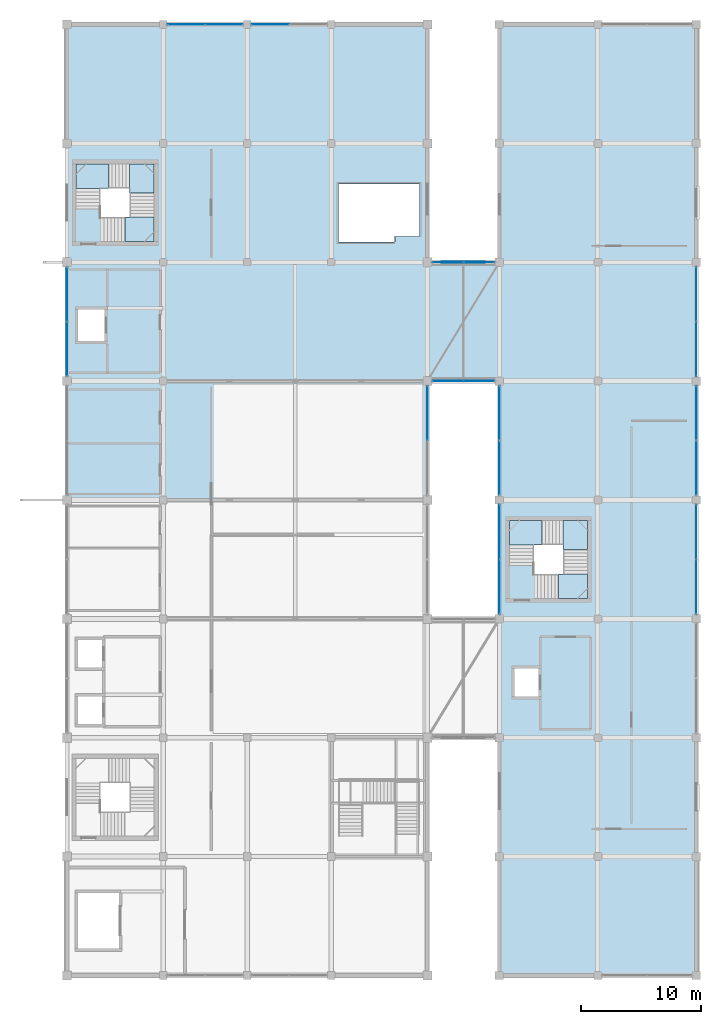
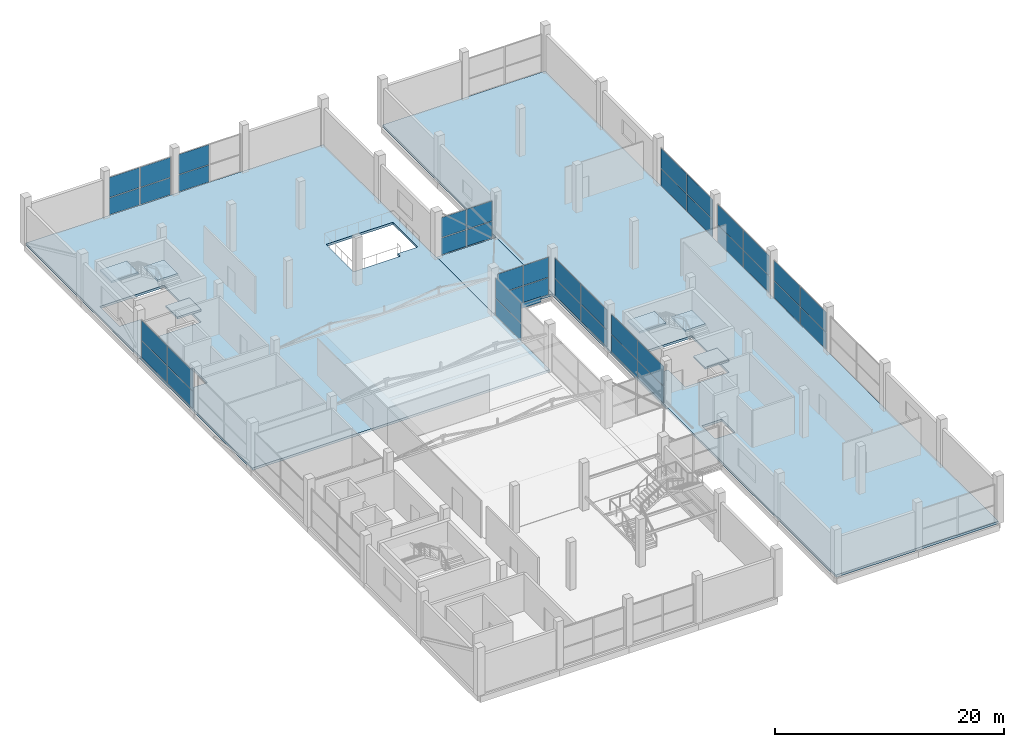
# One storey, part 50 of 67: 42 plates, 9 slabs, 13 elements without a shape of their own.
"""IFC4 building model written with IfcOpenShell, lengths in metres."""

from ifc_helpers import new_model, si_unit, direction, frame, origin, origin_2d, place, context, subcontext, project, spatial, polyline, rectangle, outline, extrude, material, layer, layer_set, type_object, element, aggregate, save


model = new_model("IFC4")

# Units and contexts
model_context = context("Model", 3, precision=1e-05, world=origin(), true_north=direction((0.0, 1.0)))
body_context = subcontext(model_context, "Body", "Model", "MODEL_VIEW")
ifc_project = project(units=[si_unit("LENGTHUNIT", "METRE"), si_unit("AREAUNIT", "SQUARE_METRE"), si_unit("VOLUMEUNIT", "CUBIC_METRE"), si_unit("PLANEANGLEUNIT", "RADIAN"), si_unit("MASSUNIT", "GRAM", prefix="KILO")], contexts=[model_context])

# Site, building, storey
site_placement = place(None, origin())
site = spatial("IfcSite", under=ifc_project, at=site_placement, CompositionType="ELEMENT")
building_placement = place(site_placement, origin())
building = spatial("IfcBuilding", under=site, at=building_placement, Name="Sillaruma Civic Art Gallery", CompositionType="ELEMENT")
storey_placement = place(building_placement, frame((0.0, 0.0, 46.919921875)))
storey = spatial("IfcBuildingStorey", under=building, at=storey_placement, Name="L09", CompositionType="ELEMENT", Elevation=46.919921875)

# Plates
ifc_material_1 = material(Name="Anodised Zinc-Aluminium Alloy", Category="aluminium")
ifc_layer_1 = layer(ifc_material_1, 0.044921875, Name="Anodised Zinc-Aluminium Alloy")
ifc_layer_set_1 = layer_set([ifc_layer_1], Name="Anodised Zinc-Aluminium Alloy")
plate_type_1 = type_object("IfcPlateType", Name="PLT-FAS-01", PredefinedType="USERDEFINED", material=ifc_layer_set_1)
for number, where, z_axis, x_axis, name in (
    (1, (95.0, 69.300048828125, -0.469970703125), (0.0, 0.0, 1.0), (1.0, 0.0, 0.0), "Sky-Bridge Fascia Cassette (BRG-N:L09:S)"),
    (2, (95.0, 79.199951171875, -0.469970703125), (0.0, 0.0, 1.0), (1.0, 0.0, 0.0), "Sky-Bridge Fascia Cassette (BRG-N:L09:N)"),
):
    element("IfcPlate", number, at=place(storey_placement, frame(where, z_axis=z_axis, x_axis=x_axis)), inside=storey, type_object=plate_type_1, Name=name, ObjectType="FASCIA CASSETTE", PredefinedType="USERDEFINED", context=body_context, shape_type="SweptSolid", body=[
        extrude(rectangle(XDim=3.60009765625, YDim=0.044921875, at=origin_2d()), origin(), (0.0, 0.0, 1.0), 0.580078125),
    ])

# Curtain wall, plates
ifc_material_2 = material(Name="Thermally Broken Extruded Aluminium 6063-T6", Category="aluminium")
ifc_layer_2 = layer(ifc_material_2, 0.139892578125, Name="Thermally Broken Extruded Aluminium 6063-T6")
ifc_layer_set_2 = layer_set([ifc_layer_2], Name="Thermally Broken Extruded Aluminium 6063-T6")
curtain_wall_type_1 = type_object("IfcCurtainWallType", Name="CW-UNI-71", PredefinedType="NOTDEFINED", material=ifc_layer_set_2)
curtain_wall_1_placement = place(storey_placement, origin())
curtain_wall_1 = element("IfcCurtainWall", 3, at=curtain_wall_1_placement, inside=storey, type_object=curtain_wall_type_1, Name="Unitised Curtain Wall CW-71 (CW-L09-EBE-4)", PredefinedType="NOTDEFINED")
ifc_material_3 = material(Name="Low-E UV-Filtered Laminated Insulating Glass", Category="glass")
ifc_layer_3 = layer(ifc_material_3, 0.028076171875, Name="Low-E UV-Filtered Laminated Insulating Glass")
ifc_layer_set_3 = layer_set([ifc_layer_3], Name="Low-E UV-Filtered Laminated Insulating Glass")
plate_type_2 = type_object("IfcPlateType", Name="PNL-GLZ-28", PredefinedType="CURTAIN_PANEL", material=ifc_layer_set_3)
plate_1_placement = place(storey_placement, frame((114.39990234375, 52.1650390625, 0.06005859375), z_axis=(0.0, 0.0, 1.0), x_axis=(0.0, 1.0, 0.0)))
plate_1 = element("IfcPlate", 4, at=plate_1_placement, type_object=plate_type_2, Name="CW-71 panel 1.1", PredefinedType="CURTAIN_PANEL", context=body_context, shape_type="SweptSolid", body=[
    extrude(rectangle(XDim=4.510009765625, YDim=0.028076171875, at=origin_2d()), origin(), (0.0, 0.0, 1.0), 1.7958984375),
])
plate_2_placement = place(storey_placement, frame((114.39990234375, 52.1650390625, 1.916015625), z_axis=(0.0, 0.0, 1.0), x_axis=(0.0, 1.0, 0.0)))
plate_2 = element("IfcPlate", 5, at=plate_2_placement, type_object=plate_type_2, Name="CW-71 panel 1.2", PredefinedType="CURTAIN_PANEL", context=body_context, shape_type="SweptSolid", body=[
    extrude(rectangle(XDim=4.510009765625, YDim=0.028076171875, at=origin_2d()), origin(), (0.0, 0.0, 1.0), 2.1240234375),
])
plate_3_placement = place(storey_placement, frame((114.39990234375, 56.735107421875, 0.06005859375), z_axis=(0.0, 0.0, 1.0), x_axis=(0.0, 1.0, 0.0)))
plate_3 = element("IfcPlate", 6, at=plate_3_placement, type_object=plate_type_2, Name="CW-71 panel 2.1", PredefinedType="CURTAIN_PANEL", context=body_context, shape_type="SweptSolid", body=[
    extrude(rectangle(XDim=4.510009765625, YDim=0.028076171875, at=origin_2d()), origin(), (0.0, 0.0, 1.0), 1.7958984375),
])
plate_4_placement = place(storey_placement, frame((114.39990234375, 56.735107421875, 1.916015625), z_axis=(0.0, 0.0, 1.0), x_axis=(0.0, 1.0, 0.0)))
plate_4 = element("IfcPlate", 7, at=plate_4_placement, type_object=plate_type_2, Name="CW-71 panel 2.2", PredefinedType="CURTAIN_PANEL", context=body_context, shape_type="SweptSolid", body=[
    extrude(rectangle(XDim=4.510009765625, YDim=0.028076171875, at=origin_2d()), origin(), (0.0, 0.0, 1.0), 2.1240234375),
])
aggregate(curtain_wall_1, [plate_1, plate_2, plate_3, plate_4])

ifc_layer_4 = layer(ifc_material_2, 0.159912109375, Name="Thermally Broken Extruded Aluminium 6063-T6")
ifc_layer_set_4 = layer_set([ifc_layer_4], Name="Thermally Broken Extruded Aluminium 6063-T6")
curtain_wall_type_2 = type_object("IfcCurtainWallType", Name="CW-UNI-68", PredefinedType="NOTDEFINED", material=ifc_layer_set_4)
curtain_wall_2_placement = place(storey_placement, origin())
curtain_wall_2 = element("IfcCurtainWall", 8, at=curtain_wall_2_placement, inside=storey, type_object=curtain_wall_type_2, Name="Unitised Curtain Wall CW-68 (CW-L09-WBN-3)", PredefinedType="NOTDEFINED")
ifc_layer_5 = layer(ifc_material_3, 0.030029296875, Name="Low-E UV-Filtered Laminated Insulating Glass")
ifc_layer_set_5 = layer_set([ifc_layer_5], Name="Low-E UV-Filtered Laminated Insulating Glass")
plate_type_3 = type_object("IfcPlateType", Name="PNL-GLZ-30", PredefinedType="CURTAIN_PANEL", material=ifc_layer_set_5)
plate_5_placement = place(storey_placement, frame((78.9287109375, 99.0, 0.06005859375), z_axis=(0.0, 0.0, 1.0), x_axis=(1.0, 0.0, 0.0)))
plate_5 = element("IfcPlate", 9, at=plate_5_placement, type_object=plate_type_3, Name="CW-68 panel 1.1", PredefinedType="CURTAIN_PANEL", context=body_context, shape_type="SweptSolid", body=[
    extrude(rectangle(XDim=3.077392578125, YDim=0.030029296875, at=origin_2d()), origin(), (0.0, 0.0, 1.0), 1.7958984375),
])
plate_6_placement = place(storey_placement, frame((78.9287109375, 99.0, 1.916015625), z_axis=(0.0, 0.0, 1.0), x_axis=(1.0, 0.0, 0.0)))
plate_6 = element("IfcPlate", 10, at=plate_6_placement, type_object=plate_type_3, Name="CW-68 panel 1.2", PredefinedType="CURTAIN_PANEL", context=body_context, shape_type="SweptSolid", body=[
    extrude(rectangle(XDim=3.077392578125, YDim=0.030029296875, at=origin_2d()), origin(), (0.0, 0.0, 1.0), 2.1240234375),
])
aggregate(curtain_wall_2, [plate_5, plate_6])

ifc_layer_6 = layer(ifc_material_2, 0.159912109375, Name="Thermally Broken Extruded Aluminium 6063-T6")
ifc_layer_set_6 = layer_set([ifc_layer_6], Name="Thermally Broken Extruded Aluminium 6063-T6")
curtain_wall_type_3 = type_object("IfcCurtainWallType", Name="CW-UNI-73", PredefinedType="NOTDEFINED", material=ifc_layer_set_6)
curtain_wall_3_placement = place(storey_placement, origin())
curtain_wall_3 = element("IfcCurtainWall", 11, at=curtain_wall_3_placement, inside=storey, type_object=curtain_wall_type_3, Name="Unitised Curtain Wall CW-73 (CW-L09-EBE-6)", PredefinedType="NOTDEFINED")
plate_7_placement = place(storey_placement, frame((114.39990234375, 71.96630859375, 0.06005859375), z_axis=(0.0, 0.0, 1.0), x_axis=(0.0, 1.0, 0.0)))
plate_7 = element("IfcPlate", 12, at=plate_7_placement, type_object=plate_type_3, Name="CW-73 panel 1.1", PredefinedType="CURTAIN_PANEL", context=body_context, shape_type="SweptSolid", body=[
    extrude(rectangle(XDim=4.50244140625, YDim=0.030029296875, at=origin_2d()), origin(), (0.0, 0.0, 1.0), 1.7958984375),
])
plate_8_placement = place(storey_placement, frame((114.39990234375, 71.96630859375, 1.916015625), z_axis=(0.0, 0.0, 1.0), x_axis=(0.0, 1.0, 0.0)))
plate_8 = element("IfcPlate", 13, at=plate_8_placement, type_object=plate_type_3, Name="CW-73 panel 1.2", PredefinedType="CURTAIN_PANEL", context=body_context, shape_type="SweptSolid", body=[
    extrude(rectangle(XDim=4.50244140625, YDim=0.030029296875, at=origin_2d()), origin(), (0.0, 0.0, 1.0), 2.1240234375),
])
plate_9_placement = place(storey_placement, frame((114.39990234375, 76.53369140625, 0.06005859375), z_axis=(0.0, 0.0, 1.0), x_axis=(0.0, 1.0, 0.0)))
plate_9 = element("IfcPlate", 14, at=plate_9_placement, type_object=plate_type_3, Name="CW-73 panel 2.1", PredefinedType="CURTAIN_PANEL", context=body_context, shape_type="SweptSolid", body=[
    extrude(rectangle(XDim=4.50244140625, YDim=0.030029296875, at=origin_2d()), origin(), (0.0, 0.0, 1.0), 1.7958984375),
])
plate_10_placement = place(storey_placement, frame((114.39990234375, 76.53369140625, 1.916015625), z_axis=(0.0, 0.0, 1.0), x_axis=(0.0, 1.0, 0.0)))
plate_10 = element("IfcPlate", 15, at=plate_10_placement, type_object=plate_type_3, Name="CW-73 panel 2.2", PredefinedType="CURTAIN_PANEL", context=body_context, shape_type="SweptSolid", body=[
    extrude(rectangle(XDim=4.50244140625, YDim=0.030029296875, at=origin_2d()), origin(), (0.0, 0.0, 1.0), 2.1240234375),
])
aggregate(curtain_wall_3, [plate_7, plate_8, plate_9, plate_10])

ifc_layer_7 = layer(ifc_material_2, 0.159912109375, Name="Thermally Broken Extruded Aluminium 6063-T6")
ifc_layer_set_7 = layer_set([ifc_layer_7], Name="Thermally Broken Extruded Aluminium 6063-T6")
curtain_wall_type_4 = type_object("IfcCurtainWallType", Name="CW-UNI-65", PredefinedType="NOTDEFINED", material=ifc_layer_set_7)
curtain_wall_4_placement = place(storey_placement, origin())
curtain_wall_4 = element("IfcCurtainWall", 16, at=curtain_wall_4_placement, inside=storey, type_object=curtain_wall_type_4, Name="Unitised Curtain Wall CW-65 (CW-L09-WBE-5)", PredefinedType="NOTDEFINED")
ifc_layer_8 = layer(ifc_material_3, 0.031982421875, Name="Low-E UV-Filtered Laminated Insulating Glass")
ifc_layer_set_8 = layer_set([ifc_layer_8], Name="Low-E UV-Filtered Laminated Insulating Glass")
plate_type_4 = type_object("IfcPlateType", Name="PNL-GLZ-32", PredefinedType="CURTAIN_PANEL", material=ifc_layer_set_8)
plate_11_placement = place(storey_placement, frame((92.0, 66.621337890625, 0.06494140625), z_axis=(0.0, 0.0, 1.0), x_axis=(0.0, 1.0, 0.0)))
plate_11 = element("IfcPlate", 17, at=plate_11_placement, type_object=plate_type_4, Name="CW-65 panel 2.1", PredefinedType="CURTAIN_PANEL", context=body_context, shape_type="SweptSolid", body=[
    extrude(rectangle(XDim=4.4775390625, YDim=0.031982421875, at=origin_2d()), origin(), (0.0, 0.0, 1.0), 1.78857421875),
])
plate_12_placement = place(storey_placement, frame((92.0, 66.621337890625, 1.91845703125), z_axis=(0.0, 0.0, 1.0), x_axis=(0.0, 1.0, 0.0)))
plate_12 = element("IfcPlate", 18, at=plate_12_placement, type_object=plate_type_4, Name="CW-65 panel 2.2", PredefinedType="CURTAIN_PANEL", context=body_context, shape_type="SweptSolid", body=[
    extrude(rectangle(XDim=4.4775390625, YDim=0.031982421875, at=origin_2d()), origin(), (0.0, 0.0, 1.0), 2.116455078125),
])
aggregate(curtain_wall_4, [plate_11, plate_12])

# Curtain wall, plate
ifc_layer_9 = layer(ifc_material_2, 0.159912109375, Name="Thermally Broken Extruded Aluminium 6063-T6")
ifc_layer_set_9 = layer_set([ifc_layer_9], Name="Thermally Broken Extruded Aluminium 6063-T6")
curtain_wall_type_5 = type_object("IfcCurtainWallType", Name="CW-UNI-75", PredefinedType="NOTDEFINED", material=ifc_layer_set_9)
curtain_wall_5_placement = place(storey_placement, origin())
curtain_wall_5 = element("IfcCurtainWall", 19, at=curtain_wall_5_placement, inside=storey, type_object=curtain_wall_type_5, Name="Unitised Curtain Wall CW-75 (CW-BRG-N-L09-S)", PredefinedType="NOTDEFINED")
plate_13_placement = place(storey_placement, frame((93.7099609375, 69.300048828125, 0.06494140625), z_axis=(0.0, 0.0, 1.0), x_axis=(1.0, 0.0, 0.0)))
plate_13 = element("IfcPlate", 20, at=plate_13_placement, type_object=plate_type_4, Name="CW-75 panel 1.1", PredefinedType="CURTAIN_PANEL", context=body_context, shape_type="SweptSolid", body=[
    extrude(rectangle(XDim=2.5400390625, YDim=0.031982421875, at=origin_2d()), origin(), (0.0, 0.0, 1.0), 1.78857421875),
])

curtain_wall_6_placement = place(storey_placement, origin())
curtain_wall_6 = element("IfcCurtainWall", 21, at=curtain_wall_6_placement, inside=storey, type_object=curtain_wall_type_5, Name="Unitised Curtain Wall CW-75 (CW-BRG-N-L09-N)", PredefinedType="NOTDEFINED")
plate_14_placement = place(storey_placement, frame((93.7099609375, 79.199951171875, 0.06494140625), z_axis=(0.0, 0.0, 1.0), x_axis=(1.0, 0.0, 0.0)))
plate_14 = element("IfcPlate", 22, at=plate_14_placement, type_object=plate_type_4, Name="CW-75 panel 1.1", PredefinedType="CURTAIN_PANEL", context=body_context, shape_type="SweptSolid", body=[
    extrude(rectangle(XDim=2.5400390625, YDim=0.031982421875, at=origin_2d()), origin(), (0.0, 0.0, 1.0), 1.78857421875),
])

# Curtain wall, plates
ifc_layer_10 = layer(ifc_material_2, 0.139892578125, Name="Thermally Broken Extruded Aluminium 6063-T6")
ifc_layer_set_10 = layer_set([ifc_layer_10], Name="Thermally Broken Extruded Aluminium 6063-T6")
curtain_wall_type_6 = type_object("IfcCurtainWallType", Name="CW-UNI-70", PredefinedType="NOTDEFINED", material=ifc_layer_set_10)
curtain_wall_7_placement = place(storey_placement, origin())
curtain_wall_7 = element("IfcCurtainWall", 23, at=curtain_wall_7_placement, inside=storey, type_object=curtain_wall_type_6, Name="Unitised Curtain Wall CW-70 (CW-L09-EBW-4)", PredefinedType="NOTDEFINED")
ifc_layer_11 = layer(ifc_material_3, 0.033935546875, Name="Low-E UV-Filtered Laminated Insulating Glass")
ifc_layer_set_11 = layer_set([ifc_layer_11], Name="Low-E UV-Filtered Laminated Insulating Glass")
plate_type_5 = type_object("IfcPlateType", Name="PNL-GLZ-34", PredefinedType="CURTAIN_PANEL", material=ifc_layer_set_11)
plate_15_placement = place(storey_placement, frame((98.0, 52.1650390625, 0.06494140625), z_axis=(0.0, 0.0, 1.0), x_axis=(0.0, 1.0, 0.0)))
plate_15 = element("IfcPlate", 24, at=plate_15_placement, type_object=plate_type_5, Name="CW-70 panel 1.1", PredefinedType="CURTAIN_PANEL", context=body_context, shape_type="SweptSolid", body=[
    extrude(rectangle(XDim=4.510009765625, YDim=0.033935546875, at=origin_2d()), origin(), (0.0, 0.0, 1.0), 1.78857421875),
])
plate_16_placement = place(storey_placement, frame((98.0, 52.1650390625, 1.91845703125), z_axis=(0.0, 0.0, 1.0), x_axis=(0.0, 1.0, 0.0)))
plate_16 = element("IfcPlate", 25, at=plate_16_placement, type_object=plate_type_5, Name="CW-70 panel 1.2", PredefinedType="CURTAIN_PANEL", context=body_context, shape_type="SweptSolid", body=[
    extrude(rectangle(XDim=4.510009765625, YDim=0.033935546875, at=origin_2d()), origin(), (0.0, 0.0, 1.0), 2.116455078125),
])
plate_17_placement = place(storey_placement, frame((98.0, 56.735107421875, 0.06494140625), z_axis=(0.0, 0.0, 1.0), x_axis=(0.0, 1.0, 0.0)))
plate_17 = element("IfcPlate", 26, at=plate_17_placement, type_object=plate_type_5, Name="CW-70 panel 2.1", PredefinedType="CURTAIN_PANEL", context=body_context, shape_type="SweptSolid", body=[
    extrude(rectangle(XDim=4.510009765625, YDim=0.033935546875, at=origin_2d()), origin(), (0.0, 0.0, 1.0), 1.78857421875),
])
plate_18_placement = place(storey_placement, frame((98.0, 56.735107421875, 1.91845703125), z_axis=(0.0, 0.0, 1.0), x_axis=(0.0, 1.0, 0.0)))
plate_18 = element("IfcPlate", 27, at=plate_18_placement, type_object=plate_type_5, Name="CW-70 panel 2.2", PredefinedType="CURTAIN_PANEL", context=body_context, shape_type="SweptSolid", body=[
    extrude(rectangle(XDim=4.510009765625, YDim=0.033935546875, at=origin_2d()), origin(), (0.0, 0.0, 1.0), 2.116455078125),
])
aggregate(curtain_wall_7, [plate_15, plate_16, plate_17, plate_18])

ifc_layer_12 = layer(ifc_material_2, 0.179931640625, Name="Thermally Broken Extruded Aluminium 6063-T6")
ifc_layer_set_12 = layer_set([ifc_layer_12], Name="Thermally Broken Extruded Aluminium 6063-T6")
curtain_wall_type_7 = type_object("IfcCurtainWallType", Name="CW-UNI-66", PredefinedType="NOTDEFINED", material=ifc_layer_set_12)
curtain_wall_8_placement = place(storey_placement, origin())
curtain_wall_8 = element("IfcCurtainWall", 28, at=curtain_wall_8_placement, inside=storey, type_object=curtain_wall_type_7, Name="Unitised Curtain Wall CW-66 (CW-L09-WBW-6)", PredefinedType="NOTDEFINED")
ifc_layer_13 = layer(ifc_material_3, 0.035888671875, Name="Low-E UV-Filtered Laminated Insulating Glass")
ifc_layer_set_13 = layer_set([ifc_layer_13], Name="Low-E UV-Filtered Laminated Insulating Glass")
plate_type_6 = type_object("IfcPlateType", Name="PNL-GLZ-36", PredefinedType="CURTAIN_PANEL", material=ifc_layer_set_13)
plate_19_placement = place(storey_placement, frame((62.0, 71.97998046875, 0.0703125), z_axis=(0.0, 0.0, 1.0), x_axis=(0.0, 1.0, 0.0)))
plate_19 = element("IfcPlate", 29, at=plate_19_placement, type_object=plate_type_6, Name="CW-66 panel 1.1", PredefinedType="CURTAIN_PANEL", context=body_context, shape_type="SweptSolid", body=[
    extrude(rectangle(XDim=4.469970703125, YDim=0.035888671875, at=origin_2d()), origin(), (0.0, 0.0, 1.0), 1.781005859375),
])
plate_20_placement = place(storey_placement, frame((62.0, 71.97998046875, 1.921142578125), z_axis=(0.0, 0.0, 1.0), x_axis=(0.0, 1.0, 0.0)))
plate_20 = element("IfcPlate", 30, at=plate_20_placement, type_object=plate_type_6, Name="CW-66 panel 1.2", PredefinedType="CURTAIN_PANEL", context=body_context, shape_type="SweptSolid", body=[
    extrude(rectangle(XDim=4.469970703125, YDim=0.035888671875, at=origin_2d()), origin(), (0.0, 0.0, 1.0), 2.10888671875),
])
plate_21_placement = place(storey_placement, frame((62.0, 76.52001953125, 0.0703125), z_axis=(0.0, 0.0, 1.0), x_axis=(0.0, 1.0, 0.0)))
plate_21 = element("IfcPlate", 31, at=plate_21_placement, type_object=plate_type_6, Name="CW-66 panel 2.1", PredefinedType="CURTAIN_PANEL", context=body_context, shape_type="SweptSolid", body=[
    extrude(rectangle(XDim=4.469970703125, YDim=0.035888671875, at=origin_2d()), origin(), (0.0, 0.0, 1.0), 1.781005859375),
])
plate_22_placement = place(storey_placement, frame((62.0, 76.52001953125, 1.921142578125), z_axis=(0.0, 0.0, 1.0), x_axis=(0.0, 1.0, 0.0)))
plate_22 = element("IfcPlate", 32, at=plate_22_placement, type_object=plate_type_6, Name="CW-66 panel 2.2", PredefinedType="CURTAIN_PANEL", context=body_context, shape_type="SweptSolid", body=[
    extrude(rectangle(XDim=4.469970703125, YDim=0.035888671875, at=origin_2d()), origin(), (0.0, 0.0, 1.0), 2.10888671875),
])
aggregate(curtain_wall_8, [plate_19, plate_20, plate_21, plate_22])

curtain_wall_9_placement = place(storey_placement, origin())
curtain_wall_9 = element("IfcCurtainWall", 33, at=curtain_wall_9_placement, inside=storey, type_object=curtain_wall_type_7, Name="Unitised Curtain Wall CW-66 (CW-L09-EBW-5)", PredefinedType="NOTDEFINED")
plate_23_placement = place(storey_placement, frame((98.0, 62.0673828125, 0.0703125), z_axis=(0.0, 0.0, 1.0), x_axis=(0.0, 1.0, 0.0)))
plate_23 = element("IfcPlate", 34, at=plate_23_placement, type_object=plate_type_6, Name="CW-66 panel 1.1", PredefinedType="CURTAIN_PANEL", context=body_context, shape_type="SweptSolid", body=[
    extrude(rectangle(XDim=4.4951171875, YDim=0.035888671875, at=origin_2d()), origin(), (0.0, 0.0, 1.0), 1.781005859375),
])
plate_24_placement = place(storey_placement, frame((98.0, 62.0673828125, 1.921142578125), z_axis=(0.0, 0.0, 1.0), x_axis=(0.0, 1.0, 0.0)))
plate_24 = element("IfcPlate", 35, at=plate_24_placement, type_object=plate_type_6, Name="CW-66 panel 1.2", PredefinedType="CURTAIN_PANEL", context=body_context, shape_type="SweptSolid", body=[
    extrude(rectangle(XDim=4.4951171875, YDim=0.035888671875, at=origin_2d()), origin(), (0.0, 0.0, 1.0), 2.10888671875),
])
plate_25_placement = place(storey_placement, frame((98.0, 66.632568359375, 0.0703125), z_axis=(0.0, 0.0, 1.0), x_axis=(0.0, 1.0, 0.0)))
plate_25 = element("IfcPlate", 36, at=plate_25_placement, type_object=plate_type_6, Name="CW-66 panel 2.1", PredefinedType="CURTAIN_PANEL", context=body_context, shape_type="SweptSolid", body=[
    extrude(rectangle(XDim=4.4951171875, YDim=0.035888671875, at=origin_2d()), origin(), (0.0, 0.0, 1.0), 1.781005859375),
])
plate_26_placement = place(storey_placement, frame((98.0, 66.632568359375, 1.921142578125), z_axis=(0.0, 0.0, 1.0), x_axis=(0.0, 1.0, 0.0)))
plate_26 = element("IfcPlate", 37, at=plate_26_placement, type_object=plate_type_6, Name="CW-66 panel 2.2", PredefinedType="CURTAIN_PANEL", context=body_context, shape_type="SweptSolid", body=[
    extrude(rectangle(XDim=4.4951171875, YDim=0.035888671875, at=origin_2d()), origin(), (0.0, 0.0, 1.0), 2.10888671875),
])
aggregate(curtain_wall_9, [plate_23, plate_24, plate_25, plate_26])

ifc_layer_14 = layer(ifc_material_2, 0.179931640625, Name="Thermally Broken Extruded Aluminium 6063-T6")
ifc_layer_set_14 = layer_set([ifc_layer_14], Name="Thermally Broken Extruded Aluminium 6063-T6")
curtain_wall_type_8 = type_object("IfcCurtainWallType", Name="CW-UNI-67", PredefinedType="NOTDEFINED", material=ifc_layer_set_14)
curtain_wall_10_placement = place(storey_placement, origin())
curtain_wall_10 = element("IfcCurtainWall", 38, at=curtain_wall_10_placement, inside=storey, type_object=curtain_wall_type_8, Name="Unitised Curtain Wall CW-67 (CW-L09-WBN-2)", PredefinedType="NOTDEFINED")
ifc_layer_15 = layer(ifc_material_3, 0.0400390625, Name="Low-E UV-Filtered Laminated Insulating Glass")
ifc_layer_set_15 = layer_set([ifc_layer_15], Name="Low-E UV-Filtered Laminated Insulating Glass")
plate_type_7 = type_object("IfcPlateType", Name="PNL-GLZ-40", PredefinedType="CURTAIN_PANEL", material=ifc_layer_set_15)
plate_27_placement = place(storey_placement, frame((71.929931640625, 99.0, 0.06494140625), z_axis=(0.0, 0.0, 1.0), x_axis=(1.0, 0.0, 0.0)))
plate_27 = element("IfcPlate", 39, at=plate_27_placement, type_object=plate_type_7, Name="CW-67 panel 1.1", PredefinedType="CURTAIN_PANEL", context=body_context, shape_type="SweptSolid", body=[
    extrude(rectangle(XDim=3.070068359375, YDim=0.0400390625, at=origin_2d()), origin(), (0.0, 0.0, 1.0), 1.78857421875),
])
plate_28_placement = place(storey_placement, frame((71.929931640625, 99.0, 1.91845703125), z_axis=(0.0, 0.0, 1.0), x_axis=(1.0, 0.0, 0.0)))
plate_28 = element("IfcPlate", 40, at=plate_28_placement, type_object=plate_type_7, Name="CW-67 panel 1.2", PredefinedType="CURTAIN_PANEL", context=body_context, shape_type="SweptSolid", body=[
    extrude(rectangle(XDim=3.070068359375, YDim=0.0400390625, at=origin_2d()), origin(), (0.0, 0.0, 1.0), 2.116455078125),
])
plate_29_placement = place(storey_placement, frame((75.070068359375, 99.0, 0.06494140625), z_axis=(0.0, 0.0, 1.0), x_axis=(1.0, 0.0, 0.0)))
plate_29 = element("IfcPlate", 41, at=plate_29_placement, type_object=plate_type_7, Name="CW-67 panel 2.1", PredefinedType="CURTAIN_PANEL", context=body_context, shape_type="SweptSolid", body=[
    extrude(rectangle(XDim=3.070068359375, YDim=0.0400390625, at=origin_2d()), origin(), (0.0, 0.0, 1.0), 1.78857421875),
])
plate_30_placement = place(storey_placement, frame((75.070068359375, 99.0, 1.91845703125), z_axis=(0.0, 0.0, 1.0), x_axis=(1.0, 0.0, 0.0)))
plate_30 = element("IfcPlate", 42, at=plate_30_placement, type_object=plate_type_7, Name="CW-67 panel 2.2", PredefinedType="CURTAIN_PANEL", context=body_context, shape_type="SweptSolid", body=[
    extrude(rectangle(XDim=3.070068359375, YDim=0.0400390625, at=origin_2d()), origin(), (0.0, 0.0, 1.0), 2.116455078125),
])
aggregate(curtain_wall_10, [plate_27, plate_28, plate_29, plate_30])

ifc_layer_16 = layer(ifc_material_2, 0.179931640625, Name="Thermally Broken Extruded Aluminium 6063-T6")
ifc_layer_set_16 = layer_set([ifc_layer_16], Name="Thermally Broken Extruded Aluminium 6063-T6")
curtain_wall_type_9 = type_object("IfcCurtainWallType", Name="CW-UNI-72", PredefinedType="NOTDEFINED", material=ifc_layer_set_16)
curtain_wall_11_placement = place(storey_placement, origin())
curtain_wall_11 = element("IfcCurtainWall", 43, at=curtain_wall_11_placement, inside=storey, type_object=curtain_wall_type_9, Name="Unitised Curtain Wall CW-72 (CW-L09-EBE-5)", PredefinedType="NOTDEFINED")
plate_31_placement = place(storey_placement, frame((114.39990234375, 62.0673828125, 0.06494140625), z_axis=(0.0, 0.0, 1.0), x_axis=(0.0, 1.0, 0.0)))
plate_31 = element("IfcPlate", 44, at=plate_31_placement, type_object=plate_type_7, Name="CW-72 panel 1.1", PredefinedType="CURTAIN_PANEL", context=body_context, shape_type="SweptSolid", body=[
    extrude(rectangle(XDim=4.4951171875, YDim=0.0400390625, at=origin_2d()), origin(), (0.0, 0.0, 1.0), 1.78857421875),
])
plate_32_placement = place(storey_placement, frame((114.39990234375, 62.0673828125, 1.91845703125), z_axis=(0.0, 0.0, 1.0), x_axis=(0.0, 1.0, 0.0)))
plate_32 = element("IfcPlate", 45, at=plate_32_placement, type_object=plate_type_7, Name="CW-72 panel 1.2", PredefinedType="CURTAIN_PANEL", context=body_context, shape_type="SweptSolid", body=[
    extrude(rectangle(XDim=4.4951171875, YDim=0.0400390625, at=origin_2d()), origin(), (0.0, 0.0, 1.0), 2.116455078125),
])
plate_33_placement = place(storey_placement, frame((114.39990234375, 66.632568359375, 0.06494140625), z_axis=(0.0, 0.0, 1.0), x_axis=(0.0, 1.0, 0.0)))
plate_33 = element("IfcPlate", 46, at=plate_33_placement, type_object=plate_type_7, Name="CW-72 panel 2.1", PredefinedType="CURTAIN_PANEL", context=body_context, shape_type="SweptSolid", body=[
    extrude(rectangle(XDim=4.4951171875, YDim=0.0400390625, at=origin_2d()), origin(), (0.0, 0.0, 1.0), 1.78857421875),
])
plate_34_placement = place(storey_placement, frame((114.39990234375, 66.632568359375, 1.91845703125), z_axis=(0.0, 0.0, 1.0), x_axis=(0.0, 1.0, 0.0)))
plate_34 = element("IfcPlate", 47, at=plate_34_placement, type_object=plate_type_7, Name="CW-72 panel 2.2", PredefinedType="CURTAIN_PANEL", context=body_context, shape_type="SweptSolid", body=[
    extrude(rectangle(XDim=4.4951171875, YDim=0.0400390625, at=origin_2d()), origin(), (0.0, 0.0, 1.0), 2.116455078125),
])
aggregate(curtain_wall_11, [plate_31, plate_32, plate_33, plate_34])

# Plate
ifc_layer_17 = layer(ifc_material_1, 0.031982421875, Name="Anodised Zinc-Aluminium Alloy")
ifc_layer_set_17 = layer_set([ifc_layer_17], Name="Anodised Zinc-Aluminium Alloy")
plate_type_8 = type_object("IfcPlateType", Name="PNL-SPD-32", PredefinedType="CURTAIN_PANEL", material=ifc_layer_set_17)
plate_35_placement = place(storey_placement, frame((93.7099609375, 69.300048828125, 1.91845703125), z_axis=(0.0, 0.0, 1.0), x_axis=(1.0, 0.0, 0.0)))
plate_35 = element("IfcPlate", 48, at=plate_35_placement, type_object=plate_type_8, Name="CW-75 panel 1.2", PredefinedType="CURTAIN_PANEL", context=body_context, shape_type="SweptSolid", body=[
    extrude(rectangle(XDim=2.5400390625, YDim=0.031982421875, at=origin_2d()), origin(), (0.0, 0.0, 1.0), 2.116455078125),
])

plate_36_placement = place(storey_placement, frame((96.31494140625, 69.300048828125, 0.06494140625), z_axis=(0.0, 0.0, 1.0), x_axis=(1.0, 0.0, 0.0)))
plate_36 = element("IfcPlate", 49, at=plate_36_placement, type_object=plate_type_8, Name="CW-75 panel 2.1", PredefinedType="CURTAIN_PANEL", context=body_context, shape_type="SweptSolid", body=[
    extrude(rectangle(XDim=2.5400390625, YDim=0.031982421875, at=origin_2d()), origin(), (0.0, 0.0, 1.0), 1.78857421875),
])

plate_37_placement = place(storey_placement, frame((96.31494140625, 69.300048828125, 1.91845703125), z_axis=(0.0, 0.0, 1.0), x_axis=(1.0, 0.0, 0.0)))
plate_37 = element("IfcPlate", 50, at=plate_37_placement, type_object=plate_type_8, Name="CW-75 panel 2.2", PredefinedType="CURTAIN_PANEL", context=body_context, shape_type="SweptSolid", body=[
    extrude(rectangle(XDim=2.5400390625, YDim=0.031982421875, at=origin_2d()), origin(), (0.0, 0.0, 1.0), 2.116455078125),
])

aggregate(curtain_wall_5, [plate_13, plate_35, plate_36, plate_37])

plate_38_placement = place(storey_placement, frame((93.7099609375, 79.199951171875, 1.91845703125), z_axis=(0.0, 0.0, 1.0), x_axis=(1.0, 0.0, 0.0)))
plate_38 = element("IfcPlate", 51, at=plate_38_placement, type_object=plate_type_8, Name="CW-75 panel 1.2", PredefinedType="CURTAIN_PANEL", context=body_context, shape_type="SweptSolid", body=[
    extrude(rectangle(XDim=2.5400390625, YDim=0.031982421875, at=origin_2d()), origin(), (0.0, 0.0, 1.0), 2.116455078125),
])

plate_39_placement = place(storey_placement, frame((96.31494140625, 79.199951171875, 0.06494140625), z_axis=(0.0, 0.0, 1.0), x_axis=(1.0, 0.0, 0.0)))
plate_39 = element("IfcPlate", 52, at=plate_39_placement, type_object=plate_type_8, Name="CW-75 panel 2.1", PredefinedType="CURTAIN_PANEL", context=body_context, shape_type="SweptSolid", body=[
    extrude(rectangle(XDim=2.5400390625, YDim=0.031982421875, at=origin_2d()), origin(), (0.0, 0.0, 1.0), 1.78857421875),
])

plate_40_placement = place(storey_placement, frame((96.31494140625, 79.199951171875, 1.91845703125), z_axis=(0.0, 0.0, 1.0), x_axis=(1.0, 0.0, 0.0)))
plate_40 = element("IfcPlate", 53, at=plate_40_placement, type_object=plate_type_8, Name="CW-75 panel 2.2", PredefinedType="CURTAIN_PANEL", context=body_context, shape_type="SweptSolid", body=[
    extrude(rectangle(XDim=2.5400390625, YDim=0.031982421875, at=origin_2d()), origin(), (0.0, 0.0, 1.0), 2.116455078125),
])

aggregate(curtain_wall_6, [plate_14, plate_38, plate_39, plate_40])

# Slabs
ifc_material_4 = material(Name="Concrete H35 (35 MPa)", Category="concrete")
ifc_layer_18 = layer(ifc_material_4, 0.2099609375, Name="Concrete H35 (35 MPa)")
ifc_layer_set_18 = layer_set([ifc_layer_18], Name="Concrete H35 (35 MPa)")
slab_type_1 = type_object("IfcSlabType", Name="SLB-FLR-210", PredefinedType="FLOOR", material=ifc_layer_set_18)
slab_1_placement = place(storey_placement, frame((0.0, 0.0, -0.2099609375)))
element("IfcSlab", 54, at=slab_1_placement, inside=storey, type_object=slab_type_1, Name="Floor Slab SF-210 (SLB-L09-BRGN)", PredefinedType="FLOOR", context=body_context, shape_type="SweptSolid", body=[
    extrude(outline(polyline([(92.0, 69.300048828125), (98.0, 69.300048828125), (98.0, 79.199951171875), (92.0, 79.199951171875), (92.0, 69.300048828125)])), origin(), (0.0, 0.0, 1.0), 0.2099609375),
])
ifc_layer_19 = layer(ifc_material_4, 0.25, Name="Concrete H35 (35 MPa)")
ifc_layer_set_19 = layer_set([ifc_layer_19], Name="Concrete H35 (35 MPa)")
slab_type_2 = type_object("IfcSlabType", Name="SLB-FLR-250", PredefinedType="FLOOR", material=ifc_layer_set_19)
slab_2_placement = place(storey_placement, frame((0.0, 0.0, -0.25)))
element("IfcSlab", 55, at=slab_2_placement, inside=storey, type_object=slab_type_2, Name="Floor Slab SF-250 (SLB-L09-WESTN)", PredefinedType="FLOOR", context=body_context, shape_type="SweptSolid", body=[
    extrude(outline(polyline([(62.0, 59.39990234375), (92.0, 59.39990234375), (92.0, 99.0), (62.0, 99.0), (62.0, 59.39990234375)]), holes=[polyline([(64.81494140625, 80.909912109375), (69.239990234375, 80.909912109375), (69.239990234375, 87.389892578125), (62.760009765625, 87.389892578125), (62.760009765625, 83.9150390625), (64.81494140625, 83.9150390625), (64.81494140625, 80.909912109375)]), polyline([(84.60009765625, 80.89990234375), (89.320068359375, 80.89990234375), (89.320068359375, 81.35498046875), (91.360107421875, 81.35498046875), (91.360107421875, 85.699951171875), (84.60009765625, 85.699951171875), (84.60009765625, 80.89990234375)]), polyline([(62.89990234375, 72.64990234375), (65.10009765625, 72.64990234375), (65.10009765625, 75.25), (62.89990234375, 75.25), (62.89990234375, 72.64990234375)])]), origin(), (0.0, 0.0, 1.0), 0.25),
])
slab_3_placement = place(storey_placement, frame((0.0, 0.0, -0.25)))
element("IfcSlab", 56, at=slab_3_placement, inside=storey, type_object=slab_type_2, Name="Floor Slab SF-250 (SLB-L09-EAST)", PredefinedType="FLOOR", context=body_context, shape_type="SweptSolid", body=[
    extrude(outline(polyline([(98.0, 19.800048828125), (114.39990234375, 19.800048828125), (114.39990234375, 99.0), (98.0, 99.0), (98.0, 19.800048828125)]), holes=[polyline([(100.9150390625, 51.2099609375), (105.340087890625, 51.2099609375), (105.340087890625, 57.68994140625), (98.860107421875, 57.68994140625), (98.860107421875, 54.215087890625), (100.9150390625, 54.215087890625), (100.9150390625, 51.2099609375)]), polyline([(99.25, 43.050048828125), (101.25, 43.050048828125), (101.25, 45.35009765625), (99.25, 45.35009765625), (99.25, 43.050048828125)])]), origin(), (0.0, 0.0, 1.0), 0.25),
])

# Stair, slabs
stair_type = type_object("IfcStairType", Name="STR-4F-30", PredefinedType="USERDEFINED", material=ifc_material_4)
stair_1_placement = place(storey_placement, origin())
stair_1 = element("IfcStair", 57, at=stair_1_placement, inside=storey, type_object=stair_type, Name="Protected Exit Stair ST-02 (West Bar North) (L09)", ObjectType="THREE_RETURN_STAIR", PredefinedType="USERDEFINED")
ifc_layer_20 = layer(ifc_material_4, 0.199951171875, Name="Concrete H35 (35 MPa)")
ifc_layer_set_20 = layer_set([ifc_layer_20], Name="Concrete H35 (35 MPa)")
slab_type_3 = type_object("IfcSlabType", Name="SLB-LND-200", PredefinedType="LANDING", material=ifc_layer_set_20)
slab_4_placement = place(storey_placement, frame((0.0, 0.0, 1.16015625)))
slab_4 = element("IfcSlab", 58, at=slab_4_placement, type_object=slab_type_3, Name="ST-02 landing 1", PredefinedType="LANDING", context=body_context, shape_type="SweptSolid", body=[
    extrude(outline(polyline([(66.830078125, 80.909912109375), (69.239990234375, 80.909912109375), (69.239990234375, 82.949951171875), (66.830078125, 82.949951171875), (66.830078125, 80.909912109375)])), origin(), (0.0, 0.0, 1.0), 0.199951171875),
])
slab_5_placement = place(storey_placement, frame((0.0, 0.0, 2.52001953125)))
slab_5 = element("IfcSlab", 59, at=slab_5_placement, type_object=slab_type_3, Name="ST-02 landing 2", PredefinedType="LANDING", context=body_context, shape_type="SweptSolid", body=[
    extrude(outline(polyline([(67.199951171875, 84.97998046875), (69.239990234375, 84.97998046875), (69.239990234375, 87.389892578125), (67.199951171875, 87.389892578125), (67.199951171875, 84.97998046875)])), origin(), (0.0, 0.0, 1.0), 0.199951171875),
])
slab_6_placement = place(storey_placement, frame((0.0, 0.0, 3.7099609375)))
slab_6 = element("IfcSlab", 60, at=slab_6_placement, type_object=slab_type_3, Name="ST-02 landing 3", PredefinedType="LANDING", context=body_context, shape_type="SweptSolid", body=[
    extrude(outline(polyline([(62.760009765625, 85.35009765625), (65.4599609375, 85.35009765625), (65.4599609375, 87.389892578125), (62.760009765625, 87.389892578125), (62.760009765625, 85.35009765625)])), origin(), (0.0, 0.0, 1.0), 0.2001953125),
])
aggregate(stair_1, [slab_4, slab_5, slab_6])

stair_2_placement = place(storey_placement, origin())
stair_2 = element("IfcStair", 61, at=stair_2_placement, inside=storey, type_object=stair_type, Name="Protected Exit Stair ST-04 (East Bar) (L09)", ObjectType="THREE_RETURN_STAIR", PredefinedType="USERDEFINED")
slab_7_placement = place(storey_placement, frame((0.0, 0.0, 1.16015625)))
slab_7 = element("IfcSlab", 62, at=slab_7_placement, type_object=slab_type_3, Name="ST-04 landing 1", PredefinedType="LANDING", context=body_context, shape_type="SweptSolid", body=[
    extrude(outline(polyline([(102.929931640625, 51.2099609375), (105.340087890625, 51.2099609375), (105.340087890625, 53.25), (102.929931640625, 53.25), (102.929931640625, 51.2099609375)])), origin(), (0.0, 0.0, 1.0), 0.199951171875),
])
slab_8_placement = place(storey_placement, frame((0.0, 0.0, 2.52001953125)))
slab_8 = element("IfcSlab", 63, at=slab_8_placement, type_object=slab_type_3, Name="ST-04 landing 2", PredefinedType="LANDING", context=body_context, shape_type="SweptSolid", body=[
    extrude(outline(polyline([(103.300048828125, 55.280029296875), (105.340087890625, 55.280029296875), (105.340087890625, 57.68994140625), (103.300048828125, 57.68994140625), (103.300048828125, 55.280029296875)])), origin(), (0.0, 0.0, 1.0), 0.199951171875),
])
slab_9_placement = place(storey_placement, frame((0.0, 0.0, 3.7099609375)))
slab_9 = element("IfcSlab", 64, at=slab_9_placement, type_object=slab_type_3, Name="ST-04 landing 3", PredefinedType="LANDING", context=body_context, shape_type="SweptSolid", body=[
    extrude(outline(polyline([(98.860107421875, 55.64990234375), (101.56005859375, 55.64990234375), (101.56005859375, 57.68994140625), (98.860107421875, 57.68994140625), (98.860107421875, 55.64990234375)])), origin(), (0.0, 0.0, 1.0), 0.2001953125),
])
aggregate(stair_2, [slab_7, slab_8, slab_9])

save(model, "model.ifc")
